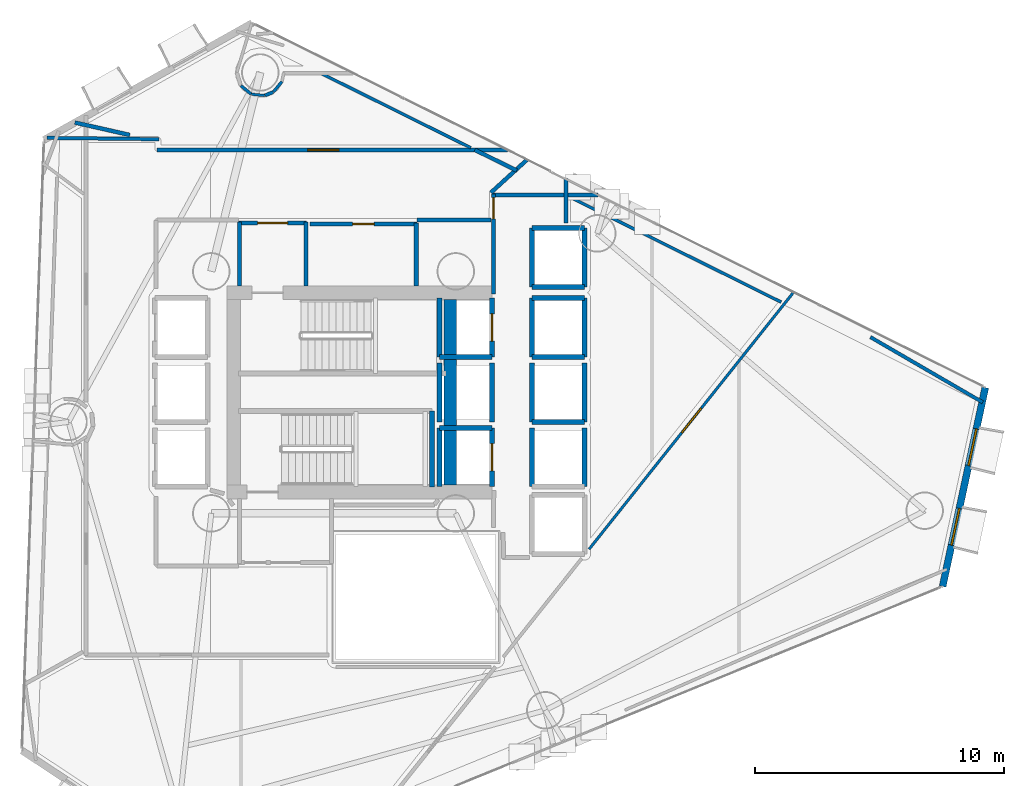
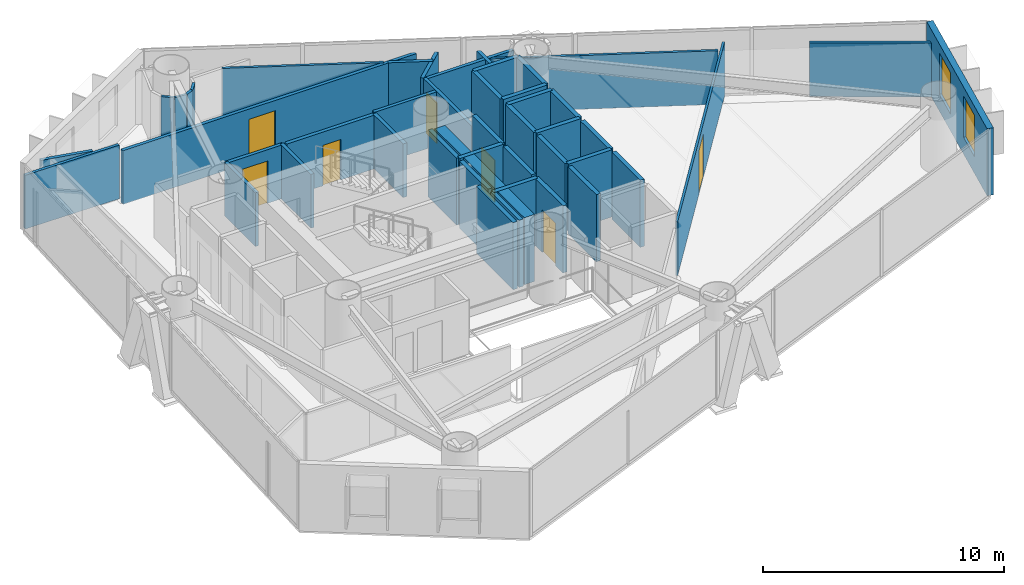
# One storey, part 18 of 22: 46 walls, 7 doors, 2 windows, 9 openings.
"""IFC4 building model written with IfcOpenShell, lengths in metres."""

import ifcopenshell
import ifcopenshell.guid

model = None  # the IFC model being written
_history = None  # IfcOwnerHistory: only IFC2X3 demands one
_inside = {}  # id of a spatial element -> (the spatial element, [elements in it])
_under = {}  # id of a project, library or spatial element -> (it, [spatial elements below it])
_declared = {}  # id of a project -> (the project, [libraries it declares])
_typed = {}  # id of a type object -> (the type object, [elements of that type])
_made_of = {}  # id of a material, layer set ... -> (it, [elements and type objects made of it])


def new_model(schema):
    """Start an empty IFC model of exactly this schema.

    Asked for "IFC4X3", IfcOpenShell would pick the latest addendum, in which some entities
    have other attributes; the version numbers below select the first issue.
    IFC2X3 requires an IfcOwnerHistory on every rooted entity: one is made here for all.
    """
    global model, _history
    if schema == "IFC4X3":
        model = ifcopenshell.file(schema_version=(4, 3, 0, 0))
    else:
        model = ifcopenshell.file(schema=schema)
    _inside.clear()
    _under.clear()
    _declared.clear()
    _typed.clear()
    _made_of.clear()
    _history = None
    if model.schema == "IFC2X3":
        org = make("IfcOrganization", Name="unknown")
        user = make(
            "IfcPersonAndOrganization",
            ThePerson=make("IfcPerson", FamilyName="unknown"),
            TheOrganization=org,
        )
        app = make(
            "IfcApplication",
            ApplicationDeveloper=org,
            Version="unknown",
            ApplicationFullName="unknown",
            ApplicationIdentifier="unknown",
        )
        _history = make(
            "IfcOwnerHistory",
            OwningUser=user,
            OwningApplication=app,
            ChangeAction="ADDED",
            CreationDate=0,
        )
    return model


def make(cls, **values):
    """One entity of the class cls with the attributes given. An attribute that is None is left unset."""
    return model.create_entity(
        cls, **{name: value for name, value in values.items() if value is not None}
    )


def rooted(cls, **values):
    """An entity with a GlobalId (a new one), such as an element, a storey or a relation."""
    return make(cls, GlobalId=ifcopenshell.guid.new(), OwnerHistory=_history, **values)


def si_unit(unit_type, name, prefix=None):
    """IfcSIUnit, for example si_unit("LENGTHUNIT", "METRE", prefix="MILLI")."""
    return make("IfcSIUnit", UnitType=unit_type, Prefix=prefix, Name=name)


def assignment(units):
    """IfcUnitAssignment: the units of a project."""
    return None if units is None else make("IfcUnitAssignment", Units=units)


def point(xyz):
    """IfcCartesianPoint."""
    return None if xyz is None else make("IfcCartesianPoint", Coordinates=xyz)


def direction(xyz):
    """IfcDirection."""
    return None if xyz is None else make("IfcDirection", DirectionRatios=xyz)


def frame(location, z_axis=None, x_axis=None):
    """IfcAxis2Placement3D, a coordinate frame: its origin and axes. An axis left out is left unset."""
    return make(
        "IfcAxis2Placement3D",
        Location=point(location),
        Axis=direction(z_axis),
        RefDirection=direction(x_axis),
    )


def frame_2d(location, x_axis=None):
    """IfcAxis2Placement2D, a coordinate frame in the plane: its origin and x axis."""
    return make(
        "IfcAxis2Placement2D", Location=point(location), RefDirection=direction(x_axis)
    )


def origin():
    """The frame at (0, 0, 0) with its axes left unset."""
    return frame((0.0, 0.0, 0.0))


def place(relative_to, where):
    """IfcLocalPlacement: puts the frame where relative to a parent placement (None: the world)."""
    return make(
        "IfcLocalPlacement", PlacementRelTo=relative_to, RelativePlacement=where
    )


def context(
    kind, dimensions, precision=None, world=None, true_north=None, identifier=None
):
    """IfcGeometricRepresentationContext, for example the 3D "Model" context."""
    return make(
        "IfcGeometricRepresentationContext",
        ContextIdentifier=identifier,
        ContextType=kind,
        CoordinateSpaceDimension=dimensions,
        Precision=precision,
        WorldCoordinateSystem=world,
        TrueNorth=true_north,
    )


def subcontext(parent, identifier, kind, view, scale=None):
    """IfcGeometricRepresentationSubContext, for example "Body" below "Model"."""
    return make(
        "IfcGeometricRepresentationSubContext",
        ContextIdentifier=identifier,
        ContextType=kind,
        ParentContext=parent,
        TargetScale=scale,
        TargetView=view,
    )


def project(units=None, contexts=None):
    """IfcProject with its units and contexts."""
    return rooted(
        "IfcProject",
        Name="project",
        RepresentationContexts=contexts,
        UnitsInContext=assignment(units),
    )


def spatial(cls, under=None, at=None, **own):
    """A site, building, storey or space (cls), placed at a placement, below another one or the project."""
    s = rooted(cls, ObjectPlacement=at, **own)
    if under is not None:
        _under.setdefault(under.id(), (under, []))[1].append(s)
    return s


def profile(cls, at=None, kind="AREA", **sizes):
    """A parametric profile (cls). Its sizes go by their IFC names, for example OverallWidth=200.0."""
    return make(cls, ProfileType=kind, Position=at, **sizes)


def rectangle(**sizes):
    """IfcRectangleProfileDef."""
    return profile("IfcRectangleProfileDef", **sizes)


def extrude(swept, where, along, depth):
    """IfcExtrudedAreaSolid: the profile swept, set in the frame where, extruded along a direction by depth."""
    return make(
        "IfcExtrudedAreaSolid",
        SweptArea=swept,
        Position=where,
        ExtrudedDirection=direction(along),
        Depth=depth,
    )


def shape(context_of_items, identifier, shape_type, items):
    """IfcShapeRepresentation: the items that make up one representation, for example the "Body"."""
    return make(
        "IfcShapeRepresentation",
        ContextOfItems=context_of_items,
        RepresentationIdentifier=identifier,
        RepresentationType=shape_type,
        Items=items,
    )


def material(Name=None, Category=None):
    """IfcMaterial."""
    return make("IfcMaterial", Name=Name, Category=Category)


def layer(
    of_material, thickness, ventilated=None, Name=None, Category=None, Priority=None
):
    """IfcMaterialLayer: one layer of a wall or slab, of a material (None: an air gap)."""
    return make(
        "IfcMaterialLayer",
        Material=of_material,
        LayerThickness=thickness,
        IsVentilated=ventilated,
        Name=Name,
        Category=Category,
        Priority=Priority,
    )


def layer_set(layers, Name=None):
    """IfcMaterialLayerSet."""
    return make("IfcMaterialLayerSet", MaterialLayers=layers, LayerSetName=Name)


def made_of(thing, what):
    """Note that an element or type object is made of a material, layer set ...; save() writes the relation."""
    if what is not None:
        _made_of.setdefault(what.id(), (what, []))[1].append(thing)
    return thing


def type_object(cls, material=None, **own):
    """A type object (cls), such as IfcWallType, which elements share."""
    return made_of(rooted(cls, **own), material)


def element(
    cls,
    number,
    at=None,
    inside=None,
    cuts=None,
    type_object=None,
    material=None,
    context=None,
    identifier="Body",
    shape_type=None,
    held_by="IfcProductDefinitionShape",
    body=None,
    shapes=None,
    **own,
):
    """One element of the class cls, such as IfcWall. Its Tag is "e" and its number.

    at: its placement. inside: the storey or other place that contains it. cuts: it is an
    opening in that element (IfcRelVoidsElement). A single representation is given by context,
    identifier, shape_type and body (its items); several are given by shapes. held_by: the class
    of the entity that holds the representations. save() writes the other relations.
    """
    e = rooted(cls, Tag="e%d" % number, ObjectPlacement=at, **own)
    if body is not None:
        shapes = [shape(context, identifier, shape_type, body)]
    if shapes is not None:
        e.Representation = make(held_by, Representations=shapes)
    if inside is not None:
        _inside.setdefault(inside.id(), (inside, []))[1].append(e)
    if cuts is not None:
        rooted(
            "IfcRelVoidsElement", RelatingBuildingElement=cuts, RelatedOpeningElement=e
        )
    if type_object is not None:
        _typed.setdefault(type_object.id(), (type_object, []))[1].append(e)
    return made_of(e, material)


def fill(opening, filler):
    """IfcRelFillsElement: the door or window that sits in an opening."""
    return rooted(
        "IfcRelFillsElement",
        RelatingOpeningElement=opening,
        RelatedBuildingElement=filler,
    )


def aggregate(whole, parts):
    """IfcRelAggregates: a whole, such as a stair, and the parts it consists of."""
    return rooted("IfcRelAggregates", RelatingObject=whole, RelatedObjects=parts)


def save(model, path):
    """Write the relations noted so far, then the file.

    IfcRelAggregates (storeys below a building ...), IfcRelContainedInSpatialStructure (elements
    in a storey), IfcRelDefinesByType, IfcRelAssociatesMaterial and IfcRelDeclares: one each for
    every whole, place, type object, material and project.
    """
    for whole, parts in _under.values():
        aggregate(whole, parts)
    for where, things in _inside.values():
        rooted(
            "IfcRelContainedInSpatialStructure",
            RelatedElements=things,
            RelatingStructure=where,
        )
    for kind, things in _typed.values():
        rooted("IfcRelDefinesByType", RelatedObjects=things, RelatingType=kind)
    for what, things in _made_of.values():
        rooted("IfcRelAssociatesMaterial", RelatedObjects=things, RelatingMaterial=what)
    for by, libraries in _declared.values():
        rooted("IfcRelDeclares", RelatingContext=by, RelatedDefinitions=libraries)
    model.write(path)


model = new_model("IFC4")

# Units and contexts
model_context = context("Model", 3, precision=1e-05, world=origin(), true_north=direction((0.0, 1.0)))
body_context = subcontext(model_context, "Body", "Model", "MODEL_VIEW")
ifc_project = project(units=[si_unit("LENGTHUNIT", "METRE"), si_unit("AREAUNIT", "SQUARE_METRE"), si_unit("VOLUMEUNIT", "CUBIC_METRE"), si_unit("PLANEANGLEUNIT", "RADIAN"), si_unit("MASSUNIT", "GRAM", prefix="KILO")], contexts=[model_context])

# Site, building, storey
site_placement = place(None, origin())
site = spatial("IfcSite", under=ifc_project, at=site_placement, CompositionType="ELEMENT")
building_placement = place(site_placement, origin())
building = spatial("IfcBuilding", under=site, at=building_placement, Name="Qianvela Tower", CompositionType="ELEMENT")
storey_placement = place(building_placement, frame((0.0, 0.0, 134.800048828125)))
storey = spatial("IfcBuildingStorey", under=building, at=storey_placement, Name="L34", CompositionType="ELEMENT", Elevation=134.800048828125)

# Wall, openings, windows
ifc_material_1 = material(Name="Terracotta Cladding on Concrete C40", Category="masonry")
ifc_layer_1 = layer(ifc_material_1, 0.280029296875)
ifc_layer_set_1 = layer_set([ifc_layer_1], Name="Terracotta Cladding on Concrete C40")
wall_type_1 = type_object("IfcWallType", Name="TERRACOTTA-WALL-280", PredefinedType="SOLIDWALL", material=ifc_layer_set_1)
wall_1_placement = place(storey_placement, frame((57.915283203125, 20.919677734375, 0.0), z_axis=(0.0, 0.0, 1.0), x_axis=(0.209674261985, 0.977771294251, 0.0)))
wall_1 = element("IfcWall", 1, at=wall_1_placement, inside=storey, type_object=wall_type_1, Name="L34 Terracotta Chamfer Facet Wall 1", PredefinedType="SOLIDWALL", context=body_context, shape_type="SweptSolid", body=[
    extrude(rectangle(XDim=8.154052734375, YDim=0.280029296875, at=frame_2d((4.0771484375, 0.0))), origin(), (0.0, 0.0, 1.0), 3.39990234375),
])
opening_1_placement = place(wall_1_placement, frame((1.6962890625, 0.0, 0.85009765625)))
opening_1 = element("IfcOpeningElement", 2, at=opening_1_placement, cuts=wall_1, Name="Opening W-02", PredefinedType="OPENING", context=body_context, shape_type="SweptSolid", body=[
    extrude(rectangle(XDim=1.5, YDim=2.10009765625, at=frame_2d((0.75, 1.050048828125))), frame((0.0, 0.14990234375, 0.0), z_axis=(0.0, -1.0, 0.0), x_axis=(1.0, 0.0, 0.0)), (0.0, 0.0, 1.0), 0.300048828125),
])
opening_2_placement = place(wall_1_placement, frame((4.957763671875, 0.0, 0.85009765625)))
opening_2 = element("IfcOpeningElement", 3, at=opening_2_placement, cuts=wall_1, Name="Opening W-02", PredefinedType="OPENING", context=body_context, shape_type="SweptSolid", body=[
    extrude(rectangle(XDim=1.5, YDim=2.10009765625, at=frame_2d((0.75, 1.050048828125))), frame((0.0, 0.14990234375, 0.0), z_axis=(0.0, -1.0, 0.0), x_axis=(1.0, 0.0, 0.0)), (0.0, 0.0, 1.0), 0.300048828125),
])
ifc_material_2 = material(Name="Thermally Broken Aluminium and Low-E Glass", Category="aluminium")
window_type = type_object("IfcWindowType", Name="WIN-TC-1500x2100", PartitioningType="DOUBLE_PANEL_VERTICAL", PredefinedType="WINDOW", material=ifc_material_2)
window_1_placement = place(opening_1_placement, origin())
window_1 = element("IfcWindow", 4, at=window_1_placement, inside=storey, type_object=window_type, Name="L34 Chamfer Facet Window 1.1", OverallHeight=2.10009765625, OverallWidth=1.5, PartitioningType="SINGLE_PANEL", PredefinedType="WINDOW", context=body_context, shape_type="SweptSolid", body=[
    extrude(rectangle(XDim=1.5, YDim=2.10009765625, at=frame_2d((0.75, 1.050048828125))), frame((0.0, 0.030029296875, 0.0), z_axis=(0.0, -1.0, 0.0), x_axis=(1.0, 0.0, 0.0)), (0.0, 0.0, 1.0), 0.06005859375),
])
fill(opening_1, window_1)
window_2_placement = place(opening_2_placement, origin())
window_2 = element("IfcWindow", 5, at=window_2_placement, inside=storey, type_object=window_type, Name="L34 Chamfer Facet Window 1.2", OverallHeight=2.10009765625, OverallWidth=1.5, PartitioningType="SINGLE_PANEL", PredefinedType="WINDOW", context=body_context, shape_type="SweptSolid", body=[
    extrude(rectangle(XDim=1.5, YDim=2.10009765625, at=frame_2d((0.75, 1.050048828125))), frame((0.0, 0.030029296875, 0.0), z_axis=(0.0, -1.0, 0.0), x_axis=(1.0, 0.0, 0.0)), (0.0, 0.0, 1.0), 0.06005859375),
])
fill(opening_2, window_2)

# Walls
ifc_material_3 = material(Name="Concrete C60", Category="concrete")
ifc_layer_2 = layer(ifc_material_3, 0.550048828125)
ifc_layer_set_2 = layer_set([ifc_layer_2], Name="Concrete C60")
wall_type_2 = type_object("IfcWallType", Name="WT-CORE-550", PredefinedType="SHEAR", material=ifc_layer_set_2)
wall_2_placement = place(storey_placement, frame((38.179931640625, 24.97998046875, 0.0), z_axis=(0.0, 0.0, 1.0), x_axis=(0.0, 1.0, 0.0)))
element("IfcWall", 6, at=wall_2_placement, inside=storey, type_object=wall_type_2, Name="L34 East Spine Core Shear Wall", PredefinedType="SHEAR", context=body_context, shape_type="SweptSolid", body=[
    extrude(rectangle(XDim=7.43994140625, YDim=0.5, at=frame_2d((3.719970703125, 0.0))), origin(), (0.0, 0.0, 1.0), 3.39990234375),
])
ifc_material_4 = material(Name="Fire-Rated Gypsum and Concrete Block", Category="concrete")
ifc_layer_3 = layer(ifc_material_4, 0.159912109375)
ifc_layer_set_3 = layer_set([ifc_layer_3], Name="Fire-Rated Gypsum and Concrete Block")
wall_type_3 = type_object("IfcWallType", Name="WT-CORR-160", PredefinedType="PARTITIONING", material=ifc_layer_set_3)
wall_3_placement = place(storey_placement, frame((29.73095703125, 32.9580078125, 0.0), z_axis=(0.0, 0.0, 1.0), x_axis=(0.0, 1.0, 0.0)))
element("IfcWall", 7, at=wall_3_placement, inside=storey, type_object=wall_type_3, Name="L34 Partition 2", PredefinedType="PARTITIONING", context=body_context, shape_type="SweptSolid", body=[
    extrude(rectangle(XDim=2.56201171875, YDim=0.159912109375, at=frame_2d((1.281005859375, 0.0))), origin(), (0.0, 0.0, 1.0), 2.719970703125),
])

# Wall, opening, door
wall_4_placement = place(storey_placement, frame((29.699951171875, 35.489013671875, 0.0), z_axis=(0.0, 0.0, 1.0), x_axis=(1.0, 0.0, 0.0)))
wall_4 = element("IfcWall", 8, at=wall_4_placement, inside=storey, type_object=wall_type_3, Name="L34 Partition 3", PredefinedType="PARTITIONING", context=body_context, shape_type="SweptSolid", body=[
    extrude(rectangle(XDim=2.719970703125, YDim=0.159912109375, at=frame_2d((1.35986328125, 0.0))), origin(), (0.0, 0.0, 1.0), 2.719970703125),
])
opening_3_placement = place(wall_4_placement, frame((0.760009765625, 0.0, 0.0)))
opening_3 = element("IfcOpeningElement", 9, at=opening_3_placement, cuts=wall_4, Name="Opening D-LB1", PredefinedType="OPENING", context=body_context, shape_type="SweptSolid", body=[
    extrude(rectangle(XDim=1.199951171875, YDim=2.14990234375, at=frame_2d((0.60009765625, 1.074951171875))), frame((0.0, 0.08984375, 0.0), z_axis=(0.0, -1.0, 0.0), x_axis=(1.0, 0.0, 0.0)), (0.0, 0.0, 1.0), 0.179931640625),
])
ifc_material_5 = material(Name="Glazed Fire-Rated Steel Frame", Category="steel")
door_type_1 = type_object("IfcDoorType", Name="DT-LOBBY-FD90", OperationType="NOTDEFINED", PredefinedType="DOOR", material=ifc_material_5)
door_1_placement = place(opening_3_placement, origin())
door_1 = element("IfcDoor", 10, at=door_1_placement, inside=storey, type_object=door_type_1, Name="L34 Door L34 Firefighting Lobby North to L34 Floor Corridor", OperationType="SINGLE_SWING_RIGHT", OverallHeight=2.14990234375, OverallWidth=1.199951171875, PredefinedType="DOOR", context=body_context, shape_type="SweptSolid", body=[
    extrude(rectangle(XDim=1.199951171875, YDim=2.14990234375, at=frame_2d((0.60009765625, 1.074951171875))), frame((0.0, 0.02490234375, 0.0), z_axis=(0.0, -1.0, 0.0), x_axis=(1.0, 0.0, 0.0)), (0.0, 0.0, 1.0), 0.050048828125),
])
fill(opening_3, door_1)

# Wall
wall_5_placement = place(storey_placement, frame((32.388916015625, 35.52001953125, 0.0), z_axis=(0.0, 0.0, 1.0), x_axis=(0.0, -1.0, 0.0)))
element("IfcWall", 11, at=wall_5_placement, inside=storey, type_object=wall_type_3, Name="L34 Partition 4", PredefinedType="PARTITIONING", context=body_context, shape_type="SweptSolid", body=[
    extrude(rectangle(XDim=2.56201171875, YDim=0.159912109375, at=frame_2d((1.281005859375, 0.0))), origin(), (0.0, 0.0, 1.0), 2.719970703125),
])

# Wall, opening, door
wall_6_placement = place(storey_placement, frame((39.910888671875, 32.639892578125, 0.0), z_axis=(0.0, 0.0, 1.0), x_axis=(0.0, 1.0, 0.0)))
wall_6 = element("IfcWall", 12, at=wall_6_placement, inside=storey, type_object=wall_type_3, Name="L34 Partition 10", PredefinedType="PARTITIONING", context=body_context, shape_type="SweptSolid", body=[
    extrude(rectangle(XDim=4.010009765625, YDim=0.159912109375, at=frame_2d((2.0048828125, 0.0))), origin(), (0.0, 0.0, 1.0), 2.719970703125),
])
opening_4_placement = place(wall_6_placement, frame((3.010009765625, 0.0, 0.0)))
opening_4 = element("IfcOpeningElement", 13, at=opening_4_placement, cuts=wall_6, Name="Opening D-LB2", PredefinedType="OPENING", context=body_context, shape_type="SweptSolid", body=[
    extrude(rectangle(XDim=0.860107421875, YDim=2.050048828125, at=frame_2d((0.43017578125, 1.02490234375))), frame((0.0, 0.08984375, 0.0), z_axis=(0.0, -1.0, 0.0), x_axis=(1.0, 0.0, 0.0)), (0.0, 0.0, 1.0), 0.179931640625),
])
ifc_material_6 = material(Name="Insulated Steel Fire Door Q355B", Category="steel")
door_type_2 = type_object("IfcDoorType", Name="DT-LOBBY-FD90-860", OperationType="NOTDEFINED", PredefinedType="DOOR", material=ifc_material_6)
door_2_placement = place(opening_4_placement, origin())
door_2 = element("IfcDoor", 14, at=door_2_placement, inside=storey, type_object=door_type_2, Name="L34 Door L34 Lift Lobby to L34 Floor Corridor", OperationType="SINGLE_SWING_RIGHT", OverallHeight=2.050048828125, OverallWidth=0.860107421875, PredefinedType="DOOR", context=body_context, shape_type="SweptSolid", body=[
    extrude(rectangle(XDim=0.860107421875, YDim=2.050048828125, at=frame_2d((0.43017578125, 1.02490234375))), frame((0.0, 0.02490234375, 0.0), z_axis=(0.0, -1.0, 0.0), x_axis=(1.0, 0.0, 0.0)), (0.0, 0.0, 1.0), 0.050048828125),
])
fill(opening_4, door_2)

# Walls
wall_7_placement = place(storey_placement, frame((39.8798828125, 36.618896484375, 0.0), z_axis=(0.0, 0.0, 1.0), x_axis=(1.0, 0.0, 0.0)))
element("IfcWall", 15, at=wall_7_placement, inside=storey, type_object=wall_type_3, Name="L34 Partition 11", PredefinedType="PARTITIONING", context=body_context, shape_type="SweptSolid", body=[
    extrude(rectangle(XDim=4.22265625, YDim=0.159912109375, at=frame_2d((2.111328125, 0.0))), origin(), (0.0, 0.0, 1.0), 2.719970703125),
])
wall_8_placement = place(storey_placement, frame((42.819091796875, 37.26708984375, 0.0), z_axis=(0.0, 0.0, 1.0), x_axis=(0.0, -1.0, 0.0)))
element("IfcWall", 16, at=wall_8_placement, inside=storey, type_object=wall_type_3, Name="L34 Partition 12", PredefinedType="PARTITIONING", context=body_context, shape_type="SweptSolid", body=[
    extrude(rectangle(XDim=1.787109375, YDim=0.159912109375, at=frame_2d((0.8935546875, 0.0))), origin(), (0.0, 0.0, 1.0), 2.719970703125),
])
wall_9_placement = place(storey_placement, frame((23.131103515625, 39.515380859375, 0.0), z_axis=(0.0, 0.0, 1.0), x_axis=(0.97520389142, -0.22130831471, 0.0)))
element("IfcWall", 17, at=wall_9_placement, inside=storey, type_object=wall_type_3, Name="L34 Partition 37", PredefinedType="PARTITIONING", context=body_context, shape_type="SweptSolid", body=[
    extrude(rectangle(XDim=2.260498046875, YDim=0.159912109375, at=frame_2d((1.13037109375, 0.0))), origin(), (0.0, 0.0, 1.0), 2.719970703125),
])

# Wall, opening, door
wall_10_placement = place(storey_placement, frame((26.419921875, 38.4189453125, 0.0), z_axis=(0.0, 0.0, 1.0), x_axis=(1.0, 0.0, 0.0)))
wall_10 = element("IfcWall", 18, at=wall_10_placement, inside=storey, type_object=wall_type_3, Name="L34 Partition 38", PredefinedType="PARTITIONING", context=body_context, shape_type="SweptSolid", body=[
    extrude(rectangle(XDim=14.061767578125, YDim=0.159912109375, at=frame_2d((7.03076171875, 0.0))), origin(), (0.0, 0.0, 1.0), 2.719970703125),
])
opening_5_placement = place(wall_10_placement, frame((6.04248046875, 0.0, 0.0)))
opening_5 = element("IfcOpeningElement", 19, at=opening_5_placement, cuts=wall_10, Name="Opening D-LG1", PredefinedType="OPENING", context=body_context, shape_type="SweptSolid", body=[
    extrude(rectangle(XDim=1.25, YDim=2.199951171875, at=frame_2d((0.625, 1.10009765625))), frame((0.0, 0.08984375, 0.0), z_axis=(0.0, -1.0, 0.0), x_axis=(1.0, 0.0, 0.0)), (0.0, 0.0, 1.0), 0.179931640625),
])
ifc_material_7 = material(Name="Anodised Aluminium Acoustic Glass Door", Category="aluminium")
door_type_3 = type_object("IfcDoorType", Name="DT-LOUNGE-1250", OperationType="NOTDEFINED", PredefinedType="DOOR", material=ifc_material_7)
door_3_placement = place(opening_5_placement, origin())
door_3 = element("IfcDoor", 20, at=door_3_placement, inside=storey, type_object=door_type_3, Name="L34 Door Social Sitting Lounge L34-02 to L34 Floor Corridor", OperationType="SINGLE_SWING_RIGHT", OverallHeight=2.199951171875, OverallWidth=1.25, PredefinedType="DOOR", context=body_context, shape_type="SweptSolid", body=[
    extrude(rectangle(XDim=1.25, YDim=2.199951171875, at=frame_2d((0.625, 1.10009765625))), frame((0.0, 0.02490234375, 0.0), z_axis=(0.0, -1.0, 0.0), x_axis=(1.0, 0.0, 0.0)), (0.0, 0.0, 1.0), 0.050048828125),
])
fill(opening_5, door_3)

# Walls
wall_11_placement = place(storey_placement, frame((39.1611328125, 38.422119140625, 0.0), z_axis=(0.0, 0.0, 1.0), x_axis=(0.895492718696, -0.445076162878, 0.0)))
element("IfcWall", 21, at=wall_11_placement, inside=storey, type_object=wall_type_3, Name="L34 Partition 39", PredefinedType="PARTITIONING", context=body_context, shape_type="SweptSolid", body=[
    extrude(rectangle(XDim=1.874267578125, YDim=0.159912109375, at=frame_2d((0.93701171875, 0.0))), origin(), (0.0, 0.0, 1.0), 2.719970703125),
])
wall_12_placement = place(storey_placement, frame((41.2705078125, 38.03759765625, 0.0), z_axis=(0.0, 0.0, 1.0), x_axis=(-0.739271241346, -0.673407775214, 0.0)))
element("IfcWall", 22, at=wall_12_placement, inside=storey, type_object=wall_type_3, Name="L34 Partition 40", PredefinedType="PARTITIONING", context=body_context, shape_type="SweptSolid", body=[
    extrude(rectangle(XDim=1.983154296875, YDim=0.159912109375, at=frame_2d((0.99169921875, 0.0))), origin(), (0.0, 0.0, 1.0), 2.719970703125),
])
wall_13_placement = place(storey_placement, frame((39.818115234375, 35.611083984375, 0.0), z_axis=(0.0, 0.0, 1.0), x_axis=(-1.0, 0.0, 0.0)))
element("IfcWall", 23, at=wall_13_placement, inside=storey, type_object=wall_type_3, Name="L34 Partition 42 seg 1", PredefinedType="PARTITIONING", context=body_context, shape_type="SweptSolid", body=[
    extrude(rectangle(XDim=2.968017578125, YDim=0.159912109375, at=frame_2d((1.48388671875, 0.0))), origin(), (0.0, 0.0, 1.0), 2.719970703125),
])
ifc_material_8 = material(Name="Lightweight Gypsum Room Partition")
ifc_layer_4 = layer(ifc_material_8, 0.10498046875)
ifc_layer_set_4 = layer_set([ifc_layer_4], Name="Lightweight Gypsum Room Partition")
wall_type_4 = type_object("IfcWallType", Name="WT-PART-105", PredefinedType="PARTITIONING", material=ifc_layer_set_4)
wall_14_placement = place(storey_placement, frame((30.212646484375, 40.6494140625, 0.0), z_axis=(0.0, 0.0, 1.0), x_axis=(0.995191506225, -0.09794828195, 0.0)))
element("IfcWall", 24, at=wall_14_placement, inside=storey, type_object=wall_type_4, Name="L34 Partition 72", PredefinedType="PARTITIONING", context=body_context, shape_type="SweptSolid", body=[
    extrude(rectangle(XDim=0.5283203125, YDim=0.10498046875, at=frame_2d((0.26416015625, 0.0))), origin(), (0.0, 0.0, 1.0), 2.719970703125),
])

# Wall, opening, door
wall_15_placement = place(storey_placement, frame((43.74365234375, 22.414306640625, 0.0), z_axis=(0.0, 0.0, 1.0), x_axis=(0.622689577397, 0.782468970759, 0.0)))
wall_15 = element("IfcWall", 25, at=wall_15_placement, inside=storey, type_object=wall_type_4, Name="L34 Partition 87", PredefinedType="PARTITIONING", context=body_context, shape_type="SweptSolid", body=[
    extrude(rectangle(XDim=13.181884765625, YDim=0.10498046875, at=frame_2d((6.5908203125, 0.0))), origin(), (0.0, 0.0, 1.0), 2.719970703125),
])
opening_6_placement = place(wall_15_placement, frame((5.9658203125, 0.0, 0.0)))
opening_6 = element("IfcOpeningElement", 26, at=opening_6_placement, cuts=wall_15, Name="Opening D-LG1", PredefinedType="OPENING", context=body_context, shape_type="SweptSolid", body=[
    extrude(rectangle(XDim=1.25, YDim=2.199951171875, at=frame_2d((0.625, 1.10009765625))), frame((0.0, 0.0625, 0.0), z_axis=(0.0, -1.0, 0.0), x_axis=(1.0, 0.0, 0.0)), (0.0, 0.0, 1.0), 0.125),
])
door_4_placement = place(opening_6_placement, origin())
door_4 = element("IfcDoor", 27, at=door_4_placement, inside=storey, type_object=door_type_3, Name="L34 Door Social Sitting Lounge L34-04C to Quiet Reading Study L34-04A", OperationType="SINGLE_SWING_RIGHT", OverallHeight=2.199951171875, OverallWidth=1.25, PredefinedType="DOOR", context=body_context, shape_type="SweptSolid", body=[
    extrude(rectangle(XDim=1.25, YDim=2.199951171875, at=frame_2d((0.625, 1.10009765625))), frame((0.0, 0.02490234375, 0.0), z_axis=(0.0, -1.0, 0.0), x_axis=(1.0, 0.0, 0.0)), (0.0, 0.0, 1.0), 0.050048828125),
])
fill(opening_6, door_4)

# Walls
ifc_material_9 = material(Name="Insulated Gypsum Stud Partition")
ifc_layer_5 = layer(ifc_material_9, 0.1201171875)
ifc_layer_set_5 = layer_set([ifc_layer_5], Name="Insulated Gypsum Stud Partition")
wall_type_5 = type_object("IfcWallType", Name="WT-PART-120", PredefinedType="PARTITIONING", material=ifc_layer_set_5)
for number, where, z_axis, x_axis, name in (
    (28, (29.78759765625, 40.991455078125, 0.0), (0.0, 0.0, 1.0), (0.773009460249, -0.634394494275, 0.0), "L34 Partition 71"),
    (29, (31.093505859375, 40.74462890625, 0.0), (0.0, 0.0, 1.0), (0.634394494275, 0.773009460249, 0.0), "L34 Partition 74"),
):
    element("IfcWall", number, at=place(storey_placement, frame(where, z_axis=z_axis, x_axis=x_axis)), inside=storey, type_object=wall_type_5, Name=name, PredefinedType="PARTITIONING", context=body_context, shape_type="SweptSolid", body=[
        extrude(rectangle(XDim=0.5283203125, YDim=0.1201171875, at=frame_2d((0.26416015625, 0.0))), origin(), (0.0, 0.0, 1.0), 2.719970703125),
    ])
wall_16_placement = place(storey_placement, frame((32.973876953125, 41.498046875, 0.0), z_axis=(0.0, 0.0, 1.0), x_axis=(0.895455077004, -0.445151889885, 0.0)))
element("IfcWall", 30, at=wall_16_placement, inside=storey, type_object=wall_type_5, Name="L34 Partition 77", PredefinedType="PARTITIONING", context=body_context, shape_type="SweptSolid", body=[
    extrude(rectangle(XDim=6.72998046875, YDim=0.1201171875, at=frame_2d((3.364990234375, 0.0))), origin(), (0.0, 0.0, 1.0), 2.719970703125),
])
wall_17_placement = place(storey_placement, frame((42.916259765625, 36.5556640625, 0.0), z_axis=(0.0, 0.0, 1.0), x_axis=(0.895450730662, -0.445160632758, 0.0)))
element("IfcWall", 31, at=wall_17_placement, inside=storey, type_object=wall_type_5, Name="L34 Partition 107", PredefinedType="PARTITIONING", context=body_context, shape_type="SweptSolid", body=[
    extrude(rectangle(XDim=9.51904296875, YDim=0.1201171875, at=frame_2d((4.759521484375, 0.0))), origin(), (0.0, 0.0, 1.0), 2.719970703125),
])

# Wall, opening, door
ifc_material_10 = material(Name="Moisture-Resistant Acoustic Plumbing Wall")
ifc_layer_6 = layer(ifc_material_10, 0.175048828125)
ifc_layer_set_6 = layer_set([ifc_layer_6], Name="Moisture-Resistant Acoustic Plumbing Wall")
wall_type_6 = type_object("IfcWallType", Name="WT-PLUMB-175", PredefinedType="PLUMBINGWALL", material=ifc_layer_set_6)
wall_18_placement = place(storey_placement, frame((32.550048828125, 35.448974609375, 0.0), z_axis=(0.0, 0.0, 1.0), x_axis=(1.0, 0.0, 0.0)))
wall_18 = element("IfcWall", 32, at=wall_18_placement, inside=storey, type_object=wall_type_6, Name="L34 Partition 20", PredefinedType="PLUMBINGWALL", context=body_context, shape_type="SweptSolid", body=[
    extrude(rectangle(XDim=4.300048828125, YDim=0.175048828125, at=frame_2d((2.14990234375, 0.0))), origin(), (0.0, 0.0, 1.0), 2.719970703125),
])
opening_7_placement = place(wall_18_placement, frame((1.719970703125, 0.0, 0.0)))
opening_7 = element("IfcOpeningElement", 33, at=opening_7_placement, cuts=wall_18, Name="Opening D-WC1", PredefinedType="OPENING", context=body_context, shape_type="SweptSolid", body=[
    extrude(rectangle(XDim=0.860107421875, YDim=2.050048828125, at=frame_2d((0.43017578125, 1.02490234375))), frame((0.0, 0.097412109375, 0.0), z_axis=(0.0, -1.0, 0.0), x_axis=(1.0, 0.0, 0.0)), (0.0, 0.0, 1.0), 0.195068359375),
])
ifc_material_11 = material(Name="Moisture-Sealed Acoustic Timber Door", Category="wood")
door_type_4 = type_object("IfcDoorType", Name="DT-WC-860", OperationType="NOTDEFINED", PredefinedType="DOOR", material=ifc_material_11)
door_5_placement = place(opening_7_placement, origin())
door_5 = element("IfcDoor", 34, at=door_5_placement, inside=storey, type_object=door_type_4, Name="L34 Door L34 Accessible WC to L34 Floor Corridor", OperationType="SINGLE_SWING_LEFT", OverallHeight=2.050048828125, OverallWidth=0.860107421875, PredefinedType="DOOR", context=body_context, shape_type="SweptSolid", body=[
    extrude(rectangle(XDim=0.860107421875, YDim=2.050048828125, at=frame_2d((0.43017578125, 1.02490234375))), frame((0.0, 0.02490234375, 0.0), z_axis=(0.0, -1.0, 0.0), x_axis=(1.0, 0.0, 0.0)), (0.0, 0.0, 1.0), 0.050048828125),
])
fill(opening_7, door_5)

# Walls
wall_19_placement = place(storey_placement, frame((36.819091796875, 35.47998046875, 0.0), z_axis=(0.0, 0.0, 1.0), x_axis=(0.0, -1.0, 0.0)))
element("IfcWall", 35, at=wall_19_placement, inside=storey, type_object=wall_type_6, Name="L34 Partition 21", PredefinedType="PLUMBINGWALL", context=body_context, shape_type="SweptSolid", body=[
    extrude(rectangle(XDim=2.52197265625, YDim=0.175048828125, at=frame_2d((1.260986328125, 0.0))), origin(), (0.0, 0.0, 1.0), 2.719970703125),
])
ifc_material_12 = material(Name="Acoustic Double Gypsum Stud Partition")
ifc_layer_7 = layer(ifc_material_12, 0.139892578125)
ifc_layer_set_7 = layer_set([ifc_layer_7], Name="Acoustic Double Gypsum Stud Partition")
wall_type_7 = type_object("IfcWallType", Name="WT-ROOM-140", PredefinedType="PARTITIONING", material=ifc_layer_set_7)
wall_20_placement = place(storey_placement, frame((26.498779296875, 38.8466796875, 0.0), z_axis=(0.0, 0.0, 1.0), x_axis=(-0.999932203987, 0.011644201537, 0.0)))
element("IfcWall", 36, at=wall_20_placement, inside=storey, type_object=wall_type_7, Name="L34 Partition 58", PredefinedType="PARTITIONING", context=body_context, shape_type="SweptSolid", body=[
    extrude(rectangle(XDim=4.48681640625, YDim=0.139892578125, at=frame_2d((2.243408203125, 0.0))), origin(), (0.0, 0.0, 1.0), 2.719970703125),
])
wall_21_placement = place(storey_placement, frame((30.75341796875, 40.599853515625, 0.0), z_axis=(0.0, 0.0, 1.0), x_axis=(0.923949766891, 0.382513827544, 0.0)))
element("IfcWall", 37, at=wall_21_placement, inside=storey, type_object=wall_type_7, Name="L34 Partition 73", PredefinedType="PARTITIONING", context=body_context, shape_type="SweptSolid", body=[
    extrude(rectangle(XDim=0.35498046875, YDim=0.139892578125, at=frame_2d((0.177490234375, 0.0))), origin(), (0.0, 0.0, 1.0), 2.719970703125),
])
wall_22_placement = place(storey_placement, frame((55.01953125, 30.9140625, 0.0), z_axis=(0.0, 0.0, 1.0), x_axis=(0.864820500903, -0.50208116995, 0.0)))
element("IfcWall", 38, at=wall_22_placement, inside=storey, type_object=wall_type_7, Name="L34 Partition 88 seg 1", PredefinedType="PARTITIONING", context=body_context, shape_type="SweptSolid", body=[
    extrude(rectangle(XDim=5.201904296875, YDim=0.139892578125, at=frame_2d((2.60107421875, 0.0))), origin(), (0.0, 0.0, 1.0), 2.719970703125),
])
ifc_material_13 = material(Name="Concrete C50", Category="concrete")
ifc_layer_8 = layer(ifc_material_13, 0.199951171875)
ifc_layer_set_8 = layer_set([ifc_layer_8], Name="Concrete C50")
wall_type_8 = type_object("IfcWallType", Name="WT-SHAFT-200", PredefinedType="SOLIDWALL", material=ifc_layer_set_8)
wall_23_placement = place(storey_placement, frame((37.449951171875, 24.89990234375, 0.0), z_axis=(0.0, 0.0, 1.0), x_axis=(0.0, 1.0, 0.0)))
element("IfcWall", 39, at=wall_23_placement, inside=storey, type_object=wall_type_8, Name="L34 Stair ST-2 East Wall", PredefinedType="SOLIDWALL", context=body_context, shape_type="SweptSolid", body=[
    extrude(rectangle(XDim=3.06005859375, YDim=0.199951171875, at=frame_2d((1.530029296875, 0.0))), origin(), (0.0, 0.0, 1.0), 3.39990234375),
])

# Wall, opening, door
wall_24_placement = place(storey_placement, frame((39.85009765625, 30.1201171875, 0.0), z_axis=(0.0, 0.0, 1.0), x_axis=(0.0, 1.0, 0.0)))
wall_24 = element("IfcWall", 40, at=wall_24_placement, inside=storey, type_object=wall_type_8, Name="L34 Lift FL-1 E Shaft Wall", PredefinedType="SOLIDWALL", context=body_context, shape_type="SweptSolid", body=[
    extrude(rectangle(XDim=2.35986328125, YDim=0.199951171875, at=frame_2d((1.179931640625, 0.0))), origin(), (0.0, 0.0, 1.0), 3.39990234375),
])
opening_8_placement = place(wall_24_placement, frame((0.6298828125, 0.0, 0.0)))
opening_8 = element("IfcOpeningElement", 41, at=opening_8_placement, cuts=wall_24, Name="Opening LD-01", PredefinedType="OPENING", context=body_context, shape_type="SweptSolid", body=[
    extrude(rectangle(XDim=1.10009765625, YDim=2.14990234375, at=frame_2d((0.550048828125, 1.074951171875))), frame((0.0, 0.10986328125, 0.0), z_axis=(0.0, -1.0, 0.0), x_axis=(1.0, 0.0, 0.0)), (0.0, 0.0, 1.0), 0.219970703125),
])
ifc_material_14 = material(Name="Brushed Stainless Steel Lift Landing Door", Category="steel")
door_type_5 = type_object("IfcDoorType", Name="DT-LIFT-SLIDE-1100", OperationType="SLIDING_TO_LEFT", PredefinedType="DOOR", material=ifc_material_14)
door_6_placement = place(opening_8_placement, origin())
door_6 = element("IfcDoor", 42, at=door_6_placement, inside=storey, type_object=door_type_5, Name="L34 Lift FL-1 Sliding Landing Door", OperationType="SLIDING_TO_LEFT", OverallHeight=2.14990234375, OverallWidth=1.10009765625, PredefinedType="DOOR", context=body_context, shape_type="SweptSolid", body=[
    extrude(rectangle(XDim=1.10009765625, YDim=2.14990234375, at=frame_2d((0.550048828125, 1.074951171875))), frame((0.0, 0.02490234375, 0.0), z_axis=(0.0, -1.0, 0.0), x_axis=(1.0, 0.0, 0.0)), (0.0, 0.0, 1.0), 0.050048828125),
])
fill(opening_8, door_6)

# Walls
wall_25_placement = place(storey_placement, frame((37.75, 30.1201171875, 0.0), z_axis=(0.0, 0.0, 1.0), x_axis=(0.0, 1.0, 0.0)))
element("IfcWall", 43, at=wall_25_placement, inside=storey, type_object=wall_type_8, Name="L34 Lift FL-1 W Shaft Wall", PredefinedType="SOLIDWALL", context=body_context, shape_type="SweptSolid", body=[
    extrude(rectangle(XDim=2.35986328125, YDim=0.199951171875, at=frame_2d((1.179931640625, 0.0))), origin(), (0.0, 0.0, 1.0), 3.39990234375),
])
wall_26_placement = place(storey_placement, frame((37.75, 30.1201171875, 0.0), z_axis=(0.0, 0.0, 1.0), x_axis=(1.0, 0.0, 0.0)))
element("IfcWall", 44, at=wall_26_placement, inside=storey, type_object=wall_type_8, Name="L34 Lift FL-1 S Shaft Wall", PredefinedType="SOLIDWALL", context=body_context, shape_type="SweptSolid", body=[
    extrude(rectangle(XDim=2.10009765625, YDim=0.199951171875, at=frame_2d((1.050048828125, 0.0))), origin(), (0.0, 0.0, 1.0), 3.39990234375),
])

# Wall, opening, door
wall_27_placement = place(storey_placement, frame((39.85009765625, 24.919921875, 0.0), z_axis=(0.0, 0.0, 1.0), x_axis=(0.0, 1.0, 0.0)))
wall_27 = element("IfcWall", 45, at=wall_27_placement, inside=storey, type_object=wall_type_8, Name="L34 Lift FL-2 E Shaft Wall", PredefinedType="SOLIDWALL", context=body_context, shape_type="SweptSolid", body=[
    extrude(rectangle(XDim=2.360107421875, YDim=0.199951171875, at=frame_2d((1.18017578125, 0.0))), origin(), (0.0, 0.0, 1.0), 3.39990234375),
])
opening_9_placement = place(wall_27_placement, frame((0.6298828125, 0.0, 0.0)))
opening_9 = element("IfcOpeningElement", 46, at=opening_9_placement, cuts=wall_27, Name="Opening LD-01", PredefinedType="OPENING", context=body_context, shape_type="SweptSolid", body=[
    extrude(rectangle(XDim=1.10009765625, YDim=2.14990234375, at=frame_2d((0.550048828125, 1.074951171875))), frame((0.0, 0.10986328125, 0.0), z_axis=(0.0, -1.0, 0.0), x_axis=(1.0, 0.0, 0.0)), (0.0, 0.0, 1.0), 0.219970703125),
])
door_7_placement = place(opening_9_placement, origin())
door_7 = element("IfcDoor", 47, at=door_7_placement, inside=storey, type_object=door_type_5, Name="L34 Lift FL-2 Sliding Landing Door", OperationType="SLIDING_TO_LEFT", OverallHeight=2.14990234375, OverallWidth=1.10009765625, PredefinedType="DOOR", context=body_context, shape_type="SweptSolid", body=[
    extrude(rectangle(XDim=1.10009765625, YDim=2.14990234375, at=frame_2d((0.550048828125, 1.074951171875))), frame((0.0, 0.02490234375, 0.0), z_axis=(0.0, -1.0, 0.0), x_axis=(1.0, 0.0, 0.0)), (0.0, 0.0, 1.0), 0.050048828125),
])
fill(opening_9, door_7)

# Walls
wall_28_placement = place(storey_placement, frame((37.75, 24.919921875, 0.0), z_axis=(0.0, 0.0, 1.0), x_axis=(0.0, 1.0, 0.0)))
element("IfcWall", 48, at=wall_28_placement, inside=storey, type_object=wall_type_8, Name="L34 Lift FL-2 W Shaft Wall", PredefinedType="SOLIDWALL", context=body_context, shape_type="SweptSolid", body=[
    extrude(rectangle(XDim=2.360107421875, YDim=0.199951171875, at=frame_2d((1.18017578125, 0.0))), origin(), (0.0, 0.0, 1.0), 3.39990234375),
])
wall_29_placement = place(storey_placement, frame((37.75, 27.280029296875, 0.0), z_axis=(0.0, 0.0, 1.0), x_axis=(1.0, 0.0, 0.0)))
element("IfcWall", 49, at=wall_29_placement, inside=storey, type_object=wall_type_8, Name="L34 Lift FL-2 N Shaft Wall", PredefinedType="SOLIDWALL", context=body_context, shape_type="SweptSolid", body=[
    extrude(rectangle(XDim=2.10009765625, YDim=0.199951171875, at=frame_2d((1.050048828125, 0.0))), origin(), (0.0, 0.0, 1.0), 3.39990234375),
])
for number, where, z_axis, x_axis, name in (
    (50, (43.550048828125, 30.1201171875, 0.0), (0.0, 0.0, 1.0), (0.0, 1.0, 0.0), "L34 Lift PL-M1 E Shaft Wall"),
    (51, (41.449951171875, 30.1201171875, 0.0), (0.0, 0.0, 1.0), (0.0, 1.0, 0.0), "L34 Lift PL-M1 W Shaft Wall"),
):
    element("IfcWall", number, at=place(storey_placement, frame(where, z_axis=z_axis, x_axis=x_axis)), inside=storey, type_object=wall_type_8, Name=name, PredefinedType="SOLIDWALL", context=body_context, shape_type="SweptSolid", body=[
        extrude(rectangle(XDim=2.35986328125, YDim=0.199951171875, at=frame_2d((1.179931640625, 0.0))), origin(), (0.0, 0.0, 1.0), 3.39990234375),
    ])
for number, where, z_axis, x_axis, name in (
    (52, (41.449951171875, 32.47998046875, 0.0), (0.0, 0.0, 1.0), (1.0, 0.0, 0.0), "L34 Lift PL-M1 N Shaft Wall"),
    (53, (41.449951171875, 30.1201171875, 0.0), (0.0, 0.0, 1.0), (1.0, 0.0, 0.0), "L34 Lift PL-M1 S Shaft Wall"),
):
    element("IfcWall", number, at=place(storey_placement, frame(where, z_axis=z_axis, x_axis=x_axis)), inside=storey, type_object=wall_type_8, Name=name, PredefinedType="SOLIDWALL", context=body_context, shape_type="SweptSolid", body=[
        extrude(rectangle(XDim=2.10009765625, YDim=0.199951171875, at=frame_2d((1.050048828125, 0.0))), origin(), (0.0, 0.0, 1.0), 3.39990234375),
    ])
for number, where, z_axis, x_axis, name in (
    (54, (43.550048828125, 27.52001953125, 0.0), (0.0, 0.0, 1.0), (0.0, 1.0, 0.0), "L34 Lift PL-M2 E Shaft Wall"),
    (55, (41.449951171875, 27.52001953125, 0.0), (0.0, 0.0, 1.0), (0.0, 1.0, 0.0), "L34 Lift PL-M2 W Shaft Wall"),
):
    element("IfcWall", number, at=place(storey_placement, frame(where, z_axis=z_axis, x_axis=x_axis)), inside=storey, type_object=wall_type_8, Name=name, PredefinedType="SOLIDWALL", context=body_context, shape_type="SweptSolid", body=[
        extrude(rectangle(XDim=2.35986328125, YDim=0.199951171875, at=frame_2d((1.179931640625, 0.0))), origin(), (0.0, 0.0, 1.0), 3.39990234375),
    ])
wall_30_placement = place(storey_placement, frame((41.449951171875, 27.52001953125, 0.0), z_axis=(0.0, 0.0, 1.0), x_axis=(1.0, 0.0, 0.0)))
element("IfcWall", 56, at=wall_30_placement, inside=storey, type_object=wall_type_8, Name="L34 Lift PL-M2 S Shaft Wall", PredefinedType="SOLIDWALL", context=body_context, shape_type="SweptSolid", body=[
    extrude(rectangle(XDim=2.10009765625, YDim=0.199951171875, at=frame_2d((1.050048828125, 0.0))), origin(), (0.0, 0.0, 1.0), 3.39990234375),
])
for number, where, z_axis, x_axis, name in (
    (57, (43.550048828125, 24.919921875, 0.0), (0.0, 0.0, 1.0), (0.0, 1.0, 0.0), "L34 Lift PL-M3 E Shaft Wall"),
    (58, (41.449951171875, 24.919921875, 0.0), (0.0, 0.0, 1.0), (0.0, 1.0, 0.0), "L34 Lift PL-M3 W Shaft Wall"),
):
    element("IfcWall", number, at=place(storey_placement, frame(where, z_axis=z_axis, x_axis=x_axis)), inside=storey, type_object=wall_type_8, Name=name, PredefinedType="SOLIDWALL", context=body_context, shape_type="SweptSolid", body=[
        extrude(rectangle(XDim=2.360107421875, YDim=0.199951171875, at=frame_2d((1.18017578125, 0.0))), origin(), (0.0, 0.0, 1.0), 3.39990234375),
    ])
for number, where, z_axis, x_axis, name in (
    (59, (39.85009765625, 27.52001953125, 0.0), (0.0, 0.0, 1.0), (0.0, 1.0, 0.0), "L34 Lift PL-H1 E Shaft Wall"),
    (60, (37.75, 27.52001953125, 0.0), (0.0, 0.0, 1.0), (0.0, 1.0, 0.0), "L34 Lift PL-H1 W Shaft Wall"),
):
    element("IfcWall", number, at=place(storey_placement, frame(where, z_axis=z_axis, x_axis=x_axis)), inside=storey, type_object=wall_type_8, Name=name, PredefinedType="SOLIDWALL", context=body_context, shape_type="SweptSolid", body=[
        extrude(rectangle(XDim=2.35986328125, YDim=0.199951171875, at=frame_2d((1.179931640625, 0.0))), origin(), (0.0, 0.0, 1.0), 3.39990234375),
    ])
for number, where, z_axis, x_axis, name in (
    (61, (43.550048828125, 32.919921875, 0.0), (0.0, 0.0, 1.0), (0.0, 1.0, 0.0), "L34 Lift PL-H3 E Shaft Wall"),
    (62, (41.449951171875, 32.919921875, 0.0), (0.0, 0.0, 1.0), (0.0, 1.0, 0.0), "L34 Lift PL-H3 W Shaft Wall"),
):
    element("IfcWall", number, at=place(storey_placement, frame(where, z_axis=z_axis, x_axis=x_axis)), inside=storey, type_object=wall_type_8, Name=name, PredefinedType="SOLIDWALL", context=body_context, shape_type="SweptSolid", body=[
        extrude(rectangle(XDim=2.360107421875, YDim=0.199951171875, at=frame_2d((1.18017578125, 0.0))), origin(), (0.0, 0.0, 1.0), 3.39990234375),
    ])
for number, where, z_axis, x_axis, name in (
    (63, (41.449951171875, 35.280029296875, 0.0), (0.0, 0.0, 1.0), (1.0, 0.0, 0.0), "L34 Lift PL-H3 N Shaft Wall"),
    (64, (41.449951171875, 32.919921875, 0.0), (0.0, 0.0, 1.0), (1.0, 0.0, 0.0), "L34 Lift PL-H3 S Shaft Wall"),
):
    element("IfcWall", number, at=place(storey_placement, frame(where, z_axis=z_axis, x_axis=x_axis)), inside=storey, type_object=wall_type_8, Name=name, PredefinedType="SOLIDWALL", context=body_context, shape_type="SweptSolid", body=[
        extrude(rectangle(XDim=2.10009765625, YDim=0.199951171875, at=frame_2d((1.050048828125, 0.0))), origin(), (0.0, 0.0, 1.0), 3.39990234375),
    ])

save(model, "model.ifc")
